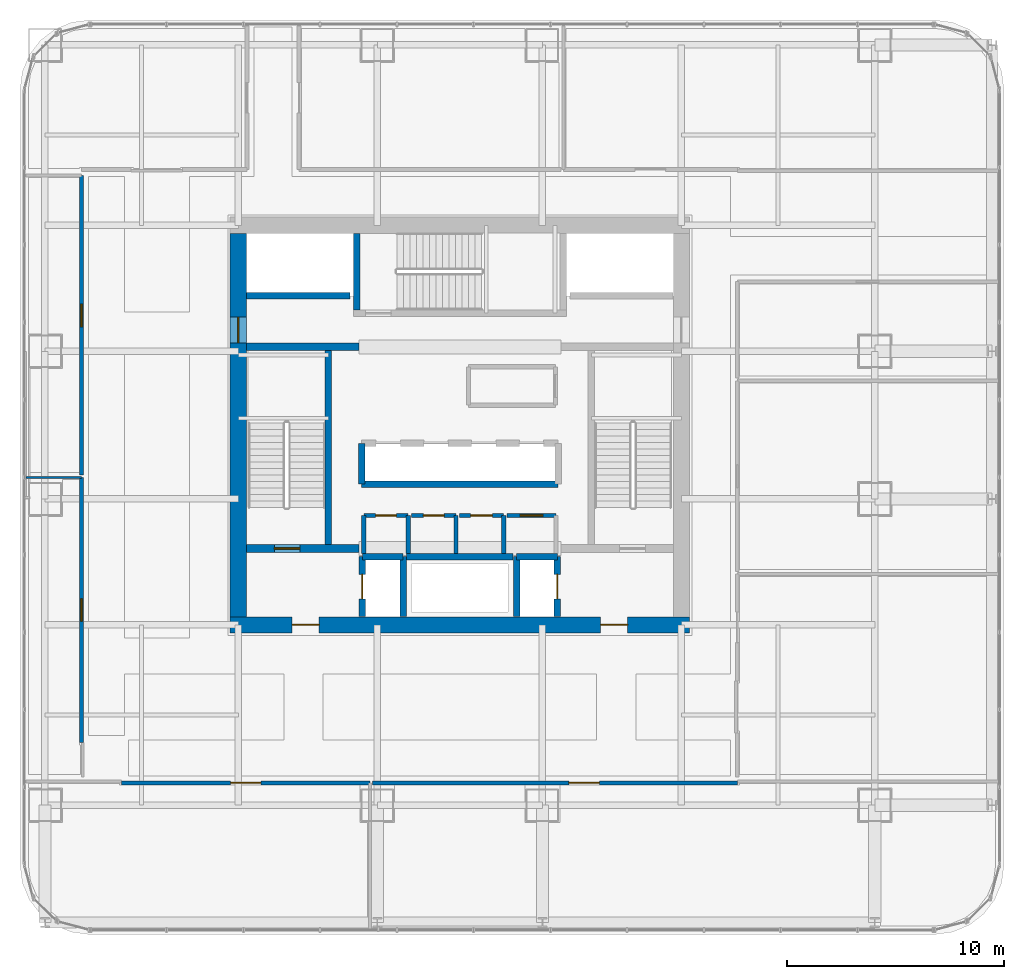
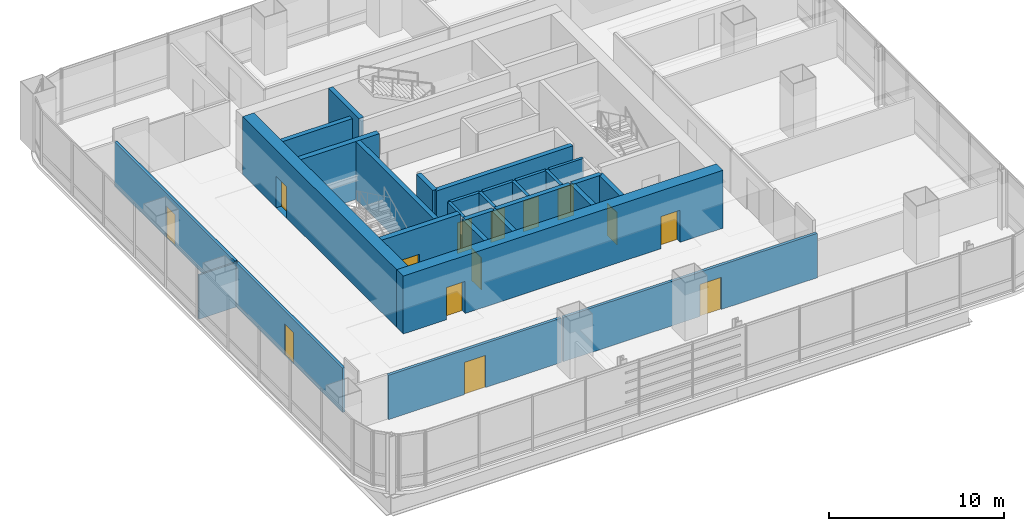
# One storey, part 27 of 35: 29 walls, 14 doors, 14 openings.
"""IFC4 building model written with IfcOpenShell, lengths in metres."""

from ifc_helpers import new_model, si_unit, direction, frame, frame_2d, origin, place, context, subcontext, project, spatial, rectangle, extrude, material, layer, layer_set, type_object, element, fill, save


model = new_model("IFC4")

# Units and contexts
model_context = context("Model", 3, precision=1e-05, world=origin(), true_north=direction((0.0, 1.0)))
body_context = subcontext(model_context, "Body", "Model", "MODEL_VIEW")
ifc_project = project(units=[si_unit("LENGTHUNIT", "METRE"), si_unit("AREAUNIT", "SQUARE_METRE"), si_unit("VOLUMEUNIT", "CUBIC_METRE"), si_unit("PLANEANGLEUNIT", "RADIAN"), si_unit("MASSUNIT", "GRAM", prefix="KILO")], contexts=[model_context])

# Site, building, storey
site_placement = place(None, origin())
site = spatial("IfcSite", under=ifc_project, at=site_placement, CompositionType="ELEMENT")
building_placement = place(site_placement, origin())
building = spatial("IfcBuilding", under=site, at=building_placement, Name="Punatoya Terracotta Tower", CompositionType="ELEMENT")
storey_placement = place(building_placement, frame((0.0, 0.0, 68.699951171875)))
storey = spatial("IfcBuildingStorey", under=building, at=storey_placement, Name="L15", CompositionType="ELEMENT", Elevation=68.699951171875)

# Wall, openings, doors
ifc_material_1 = material(Name="Concrete C60/75", Category="concrete")
ifc_layer_1 = layer(ifc_material_1, 0.75)
ifc_layer_set_1 = layer_set([ifc_layer_1], Name="Concrete C60/75")
wall_type_1 = type_object("IfcWallType", Name="WL-COR-750", PredefinedType="SHEAR", material=ifc_layer_set_1)
wall_1_placement = place(storey_placement, frame((10.574951171875, -9.199951171875, 0.0), z_axis=(0.0, 0.0, 1.0), x_axis=(-1.0, 0.0, 0.0)))
wall_1 = element("IfcWall", 1, at=wall_1_placement, inside=storey, type_object=wall_type_1, Name="L15 Core Shear Wall S", PredefinedType="SHEAR", context=body_context, shape_type="SweptSolid", body=[
    extrude(rectangle(XDim=21.14990234375, YDim=0.75, at=frame_2d((10.574951171875, 0.0))), origin(), (0.0, 0.0, 1.0), 4.050048828125),
])
opening_1_placement = place(wall_1_placement, frame((2.85009765625, 0.0, 0.0)))
opening_1 = element("IfcOpeningElement", 2, at=opening_1_placement, cuts=wall_1, Name="Opening FD-L1", PredefinedType="OPENING", context=body_context, shape_type="SweptSolid", body=[
    extrude(rectangle(XDim=1.25, YDim=2.25, at=frame_2d((0.625, 1.125))), frame((0.0, 0.385009765625, 0.0), z_axis=(0.0, -1.0, 0.0), x_axis=(1.0, 0.0, 0.0)), (0.0, 0.0, 1.0), 0.77001953125),
])
opening_2_placement = place(wall_1_placement, frame((17.050048828125, 0.0, 0.0)))
opening_2 = element("IfcOpeningElement", 3, at=opening_2_placement, cuts=wall_1, Name="Opening FD-L1", PredefinedType="OPENING", context=body_context, shape_type="SweptSolid", body=[
    extrude(rectangle(XDim=1.25, YDim=2.25, at=frame_2d((0.625, 1.125))), frame((0.0, 0.385009765625, 0.0), z_axis=(0.0, -1.0, 0.0), x_axis=(1.0, 0.0, 0.0)), (0.0, 0.0, 1.0), 0.77001953125),
])
ifc_material_2 = material(Name="Galvanised Steel Smokeproof Fire Door", Category="steel")
door_type_1 = type_object("IfcDoorType", Name="DR-FFL-1250", OperationType="NOTDEFINED", PredefinedType="DOOR", material=ifc_material_2)
door_1_placement = place(opening_1_placement, origin())
door_1 = element("IfcDoor", 4, at=door_1_placement, inside=storey, type_object=door_type_1, Name="L15 East Firefighting Lobby Corridor Fire Door", OperationType="SINGLE_SWING_LEFT", OverallHeight=2.25, OverallWidth=1.25, PredefinedType="DOOR", context=body_context, shape_type="SweptSolid", body=[
    extrude(rectangle(XDim=1.25, YDim=2.25, at=frame_2d((0.625, 1.125))), frame((0.0, 0.02490234375, 0.0), z_axis=(0.0, -1.0, 0.0), x_axis=(1.0, 0.0, 0.0)), (0.0, 0.0, 1.0), 0.050048828125),
])
fill(opening_1, door_1)
door_2_placement = place(opening_2_placement, origin())
door_2 = element("IfcDoor", 5, at=door_2_placement, inside=storey, type_object=door_type_1, Name="L15 West Firefighting Lobby Corridor Fire Door", OperationType="SINGLE_SWING_RIGHT", OverallHeight=2.25, OverallWidth=1.25, PredefinedType="DOOR", context=body_context, shape_type="SweptSolid", body=[
    extrude(rectangle(XDim=1.25, YDim=2.25, at=frame_2d((0.625, 1.125))), frame((0.0, 0.02490234375, 0.0), z_axis=(0.0, -1.0, 0.0), x_axis=(1.0, 0.0, 0.0)), (0.0, 0.0, 1.0), 0.050048828125),
])
fill(opening_2, door_2)

# Wall, opening, door
wall_2_placement = place(storey_placement, frame((-10.199951171875, -8.824951171875, 0.0), z_axis=(0.0, 0.0, 1.0), x_axis=(0.0, 1.0, 0.0)))
wall_2 = element("IfcWall", 6, at=wall_2_placement, inside=storey, type_object=wall_type_1, Name="L15 Core Shear Wall W", PredefinedType="SHEAR", context=body_context, shape_type="SweptSolid", body=[
    extrude(rectangle(XDim=17.64990234375, YDim=0.75, at=frame_2d((8.824951171875, 0.0))), origin(), (0.0, 0.0, 1.0), 4.050048828125),
])
opening_3_placement = place(wall_2_placement, frame((12.614990234375, 0.0, 0.0)))
opening_3 = element("IfcOpeningElement", 7, at=opening_3_placement, cuts=wall_2, Name="Opening SD-01", PredefinedType="OPENING", context=body_context, shape_type="SweptSolid", body=[
    extrude(rectangle(XDim=1.179931640625, YDim=2.199951171875, at=frame_2d((0.58984375, 1.10009765625))), frame((0.0, 0.385009765625, 0.0), z_axis=(0.0, -1.0, 0.0), x_axis=(1.0, 0.0, 0.0)), (0.0, 0.0, 1.0), 0.77001953125),
])
ifc_material_3 = material(Name="Galvanised Steel Pressurized Stair Fire Door", Category="steel")
door_type_2 = type_object("IfcDoorType", Name="DR-STR-1180", OperationType="NOTDEFINED", PredefinedType="DOOR", material=ifc_material_3)
door_3_placement = place(opening_3_placement, origin())
door_3 = element("IfcDoor", 8, at=door_3_placement, inside=storey, type_object=door_type_2, Name="L15 Central Lift Lobby West Fire Door", OperationType="SINGLE_SWING_LEFT", OverallHeight=2.199951171875, OverallWidth=1.179931640625, PredefinedType="DOOR", context=body_context, shape_type="SweptSolid", body=[
    extrude(rectangle(XDim=1.179931640625, YDim=2.199951171875, at=frame_2d((0.58984375, 1.10009765625))), frame((0.0, 0.02490234375, 0.0), z_axis=(0.0, -1.0, 0.0), x_axis=(1.0, 0.0, 0.0)), (0.0, 0.0, 1.0), 0.050048828125),
])
fill(opening_3, door_3)

ifc_material_4 = material(Name="Gypsum Fireboard + Steel Stud", Category="steel")
ifc_layer_2 = layer(ifc_material_4, 0.179931640625)
ifc_layer_set_2 = layer_set([ifc_layer_2], Name="Gypsum Fireboard + Steel Stud")
wall_type_2 = type_object("IfcWallType", Name="WL-CORR-180", PredefinedType="PARTITIONING", material=ifc_layer_set_2)
wall_3_placement = place(storey_placement, frame((4.419921875, -4.159912109375, 0.0), z_axis=(0.0, 0.0, 1.0), x_axis=(-1.0, 0.0, 0.0)))
wall_3 = element("IfcWall", 9, at=wall_3_placement, inside=storey, type_object=wall_type_2, Name="L15 Core Reprographics Studio Partition 09", PredefinedType="PARTITIONING", context=body_context, shape_type="SweptSolid", body=[
    extrude(rectangle(XDim=2.239990234375, YDim=0.179931640625, at=frame_2d((1.1201171875, 0.0))), origin(), (0.0, 0.0, 1.0), 3.81005859375),
])
opening_4_placement = place(wall_3_placement, frame((0.594970703125, 0.0, 0.0)))
opening_4 = element("IfcOpeningElement", 10, at=opening_4_placement, cuts=wall_3, Name="Opening OD-01", PredefinedType="OPENING", context=body_context, shape_type="SweptSolid", body=[
    extrude(rectangle(XDim=1.050048828125, YDim=2.199951171875, at=frame_2d((0.52490234375, 1.10009765625))), frame((0.0, 0.099853515625, 0.0), z_axis=(0.0, -1.0, 0.0), x_axis=(1.0, 0.0, 0.0)), (0.0, 0.0, 1.0), 0.199951171875),
])
ifc_material_5 = material(Name="Bengal Teak Solid-Core Leaf")
door_type_3 = type_object("IfcDoorType", Name="DR-OFF-1050", OperationType="NOTDEFINED", PredefinedType="DOOR", material=ifc_material_5)
door_4_placement = place(opening_4_placement, origin())
door_4 = element("IfcDoor", 11, at=door_4_placement, inside=storey, type_object=door_type_3, Name="L15 Reprographics Studio Door", OperationType="SINGLE_SWING_RIGHT", OverallHeight=2.199951171875, OverallWidth=1.050048828125, PredefinedType="DOOR", context=body_context, shape_type="SweptSolid", body=[
    extrude(rectangle(XDim=1.050048828125, YDim=2.199951171875, at=frame_2d((0.52490234375, 1.10009765625))), frame((0.0, 0.02490234375, 0.0), z_axis=(0.0, -1.0, 0.0), x_axis=(1.0, 0.0, 0.0)), (0.0, 0.0, 1.0), 0.050048828125),
])
fill(opening_4, door_4)

wall_4_placement = place(storey_placement, frame((-15.570068359375, -16.469970703125, 0.0), z_axis=(0.0, 0.0, 1.0), x_axis=(1.0, 0.0, 0.0)))
wall_4 = element("IfcWall", 12, at=wall_4_placement, inside=storey, type_object=wall_type_2, Name="L15 Open-Plan Plenary Seminar Room Partition 15", PredefinedType="PARTITIONING", context=body_context, shape_type="SweptSolid", body=[
    extrude(rectangle(XDim=11.427978515625, YDim=0.179931640625, at=frame_2d((5.7138671875, 0.0))), origin(), (0.0, 0.0, 1.0), 3.10400390625),
])
opening_5_placement = place(wall_4_placement, frame((5.013916015625, 0.0, 0.0)))
opening_5 = element("IfcOpeningElement", 13, at=opening_5_placement, cuts=wall_4, Name="Opening BD-01", PredefinedType="OPENING", context=body_context, shape_type="SweptSolid", body=[
    extrude(rectangle(XDim=1.39990234375, YDim=2.25, at=frame_2d((0.699951171875, 1.125))), frame((0.0, 0.099853515625, 0.0), z_axis=(0.0, -1.0, 0.0), x_axis=(1.0, 0.0, 0.0)), (0.0, 0.0, 1.0), 0.199951171875),
])
ifc_material_6 = material(Name="Bengal Teak Acoustic Leaf")
door_type_4 = type_object("IfcDoorType", Name="DR-BRD-1400", OperationType="NOTDEFINED", PredefinedType="DOOR", material=ifc_material_6)
door_5_placement = place(opening_5_placement, origin())
door_5 = element("IfcDoor", 14, at=door_5_placement, inside=storey, type_object=door_type_4, Name="L15 Open-Plan Plenary Seminar Room Door", OperationType="SINGLE_SWING_RIGHT", OverallHeight=2.25, OverallWidth=1.39990234375, PredefinedType="DOOR", context=body_context, shape_type="SweptSolid", body=[
    extrude(rectangle(XDim=1.39990234375, YDim=2.25, at=frame_2d((0.699951171875, 1.125))), frame((0.0, 0.02490234375, 0.0), z_axis=(0.0, -1.0, 0.0), x_axis=(1.0, 0.0, 0.0)), (0.0, 0.0, 1.0), 0.050048828125),
])
fill(opening_5, door_5)

wall_5_placement = place(storey_placement, frame((-4.02197265625, -16.469970703125, 0.0), z_axis=(0.0, 0.0, 1.0), x_axis=(1.0, 0.0, 0.0)))
wall_5 = element("IfcWall", 15, at=wall_5_placement, inside=storey, type_object=wall_type_2, Name="L15 Client Strategy Boardroom Partition 17", PredefinedType="PARTITIONING", context=body_context, shape_type="SweptSolid", body=[
    extrude(rectangle(XDim=16.7919921875, YDim=0.179931640625, at=frame_2d((8.39599609375, 0.0))), origin(), (0.0, 0.0, 1.0), 3.10400390625),
])
opening_6_placement = place(wall_5_placement, frame((9.0458984375, 0.0, 0.0)))
opening_6 = element("IfcOpeningElement", 16, at=opening_6_placement, cuts=wall_5, Name="Opening BD-01", PredefinedType="OPENING", context=body_context, shape_type="SweptSolid", body=[
    extrude(rectangle(XDim=1.39990234375, YDim=2.25, at=frame_2d((0.699951171875, 1.125))), frame((0.0, 0.099853515625, 0.0), z_axis=(0.0, -1.0, 0.0), x_axis=(1.0, 0.0, 0.0)), (0.0, 0.0, 1.0), 0.199951171875),
])
door_6_placement = place(opening_6_placement, origin())
door_6 = element("IfcDoor", 17, at=door_6_placement, inside=storey, type_object=door_type_4, Name="L15 Client Strategy Boardroom Door", OperationType="SINGLE_SWING_LEFT", OverallHeight=2.25, OverallWidth=1.39990234375, PredefinedType="DOOR", context=body_context, shape_type="SweptSolid", body=[
    extrude(rectangle(XDim=1.39990234375, YDim=2.25, at=frame_2d((0.699951171875, 1.125))), frame((0.0, 0.02490234375, 0.0), z_axis=(0.0, -1.0, 0.0), x_axis=(1.0, 0.0, 0.0)), (0.0, 0.0, 1.0), 0.050048828125),
])
fill(opening_6, door_6)

wall_6_placement = place(storey_placement, frame((-17.419921875, -2.409912109375, 0.0), z_axis=(0.0, 0.0, 1.0), x_axis=(0.0, -1.0, 0.0)))
wall_6 = element("IfcWall", 18, at=wall_6_placement, inside=storey, type_object=wall_type_2, Name="L15 Open-Plan Executive Briefing Room Partition 24", PredefinedType="PARTITIONING", context=body_context, shape_type="SweptSolid", body=[
    extrude(rectangle(XDim=12.210205078125, YDim=0.179931640625, at=frame_2d((6.10498046875, 0.0))), origin(), (0.0, 0.0, 1.0), 3.10400390625),
])
opening_7_placement = place(wall_6_placement, frame((5.594970703125, 0.0, 0.0)))
opening_7 = element("IfcOpeningElement", 19, at=opening_7_placement, cuts=wall_6, Name="Opening MD-01", PredefinedType="OPENING", context=body_context, shape_type="SweptSolid", body=[
    extrude(rectangle(XDim=1.02001953125, YDim=2.199951171875, at=frame_2d((0.510009765625, 1.10009765625))), frame((0.0, 0.099853515625, 0.0), z_axis=(0.0, -1.0, 0.0), x_axis=(1.0, 0.0, 0.0)), (0.0, 0.0, 1.0), 0.199951171875),
])
ifc_material_7 = material(Name="Aluminium + Acoustic Glass Leaf", Category="aluminium")
door_type_5 = type_object("IfcDoorType", Name="DR-MTG-1020", OperationType="NOTDEFINED", PredefinedType="DOOR", material=ifc_material_7)
door_7_placement = place(opening_7_placement, origin())
door_7 = element("IfcDoor", 20, at=door_7_placement, inside=storey, type_object=door_type_5, Name="L15 Open-Plan Executive Briefing Room Door", OperationType="SINGLE_SWING_LEFT", OverallHeight=2.199951171875, OverallWidth=1.02001953125, PredefinedType="DOOR", context=body_context, shape_type="SweptSolid", body=[
    extrude(rectangle(XDim=1.02001953125, YDim=2.199951171875, at=frame_2d((0.510009765625, 1.10009765625))), frame((0.0, 0.02490234375, 0.0), z_axis=(0.0, -1.0, 0.0), x_axis=(1.0, 0.0, 0.0)), (0.0, 0.0, 1.0), 0.050048828125),
])
fill(opening_7, door_7)

wall_7_placement = place(storey_placement, frame((-17.419921875, 11.489990234375, 0.0), z_axis=(0.0, 0.0, 1.0), x_axis=(0.0, -1.0, 0.0)))
wall_7 = element("IfcWall", 21, at=wall_7_placement, inside=storey, type_object=wall_type_2, Name="L15 Open-Plan Wellness Focus Room Partition 31", PredefinedType="PARTITIONING", context=body_context, shape_type="SweptSolid", body=[
    extrude(rectangle(XDim=13.780029296875, YDim=0.179931640625, at=frame_2d((6.89013671875, 0.0))), origin(), (0.0, 0.0, 1.0), 3.10400390625),
])
opening_8_placement = place(wall_7_placement, frame((5.9150390625, 0.0, 0.0)))
opening_8 = element("IfcOpeningElement", 22, at=opening_8_placement, cuts=wall_7, Name="Opening OD-01", PredefinedType="OPENING", context=body_context, shape_type="SweptSolid", body=[
    extrude(rectangle(XDim=1.050048828125, YDim=2.199951171875, at=frame_2d((0.52490234375, 1.10009765625))), frame((0.0, 0.099853515625, 0.0), z_axis=(0.0, -1.0, 0.0), x_axis=(1.0, 0.0, 0.0)), (0.0, 0.0, 1.0), 0.199951171875),
])
door_8_placement = place(opening_8_placement, origin())
door_8 = element("IfcDoor", 23, at=door_8_placement, inside=storey, type_object=door_type_3, Name="L15 Open-Plan Wellness Focus Room Door", OperationType="SINGLE_SWING_RIGHT", OverallHeight=2.199951171875, OverallWidth=1.050048828125, PredefinedType="DOOR", context=body_context, shape_type="SweptSolid", body=[
    extrude(rectangle(XDim=1.050048828125, YDim=2.199951171875, at=frame_2d((0.52490234375, 1.10009765625))), frame((0.0, 0.02490234375, 0.0), z_axis=(0.0, -1.0, 0.0), x_axis=(1.0, 0.0, 0.0)), (0.0, 0.0, 1.0), 0.050048828125),
])
fill(opening_8, door_8)

# Walls
ifc_material_8 = material(Name="Aluminium Framed Acoustic Glass Partition", Category="aluminium")
ifc_layer_3 = layer(ifc_material_8, 0.10009765625)
ifc_layer_set_3 = layer_set([ifc_layer_3], Name="Aluminium Framed Acoustic Glass Partition")
wall_type_3 = type_object("IfcWallType", Name="WL-GLZ-100", PredefinedType="PARTITIONING", material=ifc_layer_set_3)
wall_8_placement = place(storey_placement, frame((-19.969970703125, -2.409912109375, 0.0), z_axis=(0.0, 0.0, 1.0), x_axis=(1.0, 0.0, 0.0)))
element("IfcWall", 24, at=wall_8_placement, inside=storey, type_object=wall_type_3, Name="L15 Open-Plan Executive Briefing Room Partition 23", PredefinedType="PARTITIONING", context=body_context, shape_type="SweptSolid", body=[
    extrude(rectangle(XDim=2.550048828125, YDim=0.10009765625, at=frame_2d((1.27490234375, 0.0))), origin(), (0.0, 0.0, 1.0), 3.10400390625),
])
ifc_material_9 = material(Name="Concrete C40/50", Category="concrete")
ifc_layer_4 = layer(ifc_material_9, 0.199951171875)
ifc_layer_set_4 = layer_set([ifc_layer_4], Name="Concrete C40/50")
wall_type_4 = type_object("IfcWallType", Name="WL-INT-200", PredefinedType="SOLIDWALL", material=ifc_layer_set_4)
wall_9_placement = place(storey_placement, frame((-2.3798828125, -5.89990234375, 0.0), z_axis=(0.0, 0.0, 1.0), x_axis=(0.0, 1.0, 0.0)))
element("IfcWall", 25, at=wall_9_placement, inside=storey, type_object=wall_type_4, Name="L15 Male Washroom Partition 01", PredefinedType="SOLIDWALL", context=body_context, shape_type="SweptSolid", body=[
    extrude(rectangle(XDim=1.739990234375, YDim=0.199951171875, at=frame_2d((0.8701171875, 0.0))), origin(), (0.0, 0.0, 1.0), 3.81005859375),
])

# Wall, opening, door
wall_10_placement = place(storey_placement, frame((-2.3798828125, -4.159912109375, 0.0), z_axis=(0.0, 0.0, 1.0), x_axis=(-1.0, 0.0, 0.0)))
wall_10 = element("IfcWall", 26, at=wall_10_placement, inside=storey, type_object=wall_type_4, Name="L15 Male Washroom Partition 02", PredefinedType="SOLIDWALL", context=body_context, shape_type="SweptSolid", body=[
    extrude(rectangle(XDim=2.0400390625, YDim=0.199951171875, at=frame_2d((1.02001953125, 0.0))), origin(), (0.0, 0.0, 1.0), 3.81005859375),
])
opening_9_placement = place(wall_10_placement, frame((0.544921875, 0.0, 0.0)))
opening_9 = element("IfcOpeningElement", 27, at=opening_9_placement, cuts=wall_10, Name="Opening WD-01", PredefinedType="OPENING", context=body_context, shape_type="SweptSolid", body=[
    extrude(rectangle(XDim=0.949951171875, YDim=2.14990234375, at=frame_2d((0.47509765625, 1.074951171875))), frame((0.0, 0.10986328125, 0.0), z_axis=(0.0, -1.0, 0.0), x_axis=(1.0, 0.0, 0.0)), (0.0, 0.0, 1.0), 0.219970703125),
])
ifc_material_10 = material(Name="Moisture-Resistant Laminate Timber Leaf", Category="wood")
door_type_6 = type_object("IfcDoorType", Name="DR-WC-950", OperationType="NOTDEFINED", PredefinedType="DOOR", material=ifc_material_10)
door_9_placement = place(opening_9_placement, origin())
door_9 = element("IfcDoor", 28, at=door_9_placement, inside=storey, type_object=door_type_6, Name="L15 Male Washroom Door", OperationType="SINGLE_SWING_LEFT", OverallHeight=2.14990234375, OverallWidth=0.949951171875, PredefinedType="DOOR", context=body_context, shape_type="SweptSolid", body=[
    extrude(rectangle(XDim=0.949951171875, YDim=2.14990234375, at=frame_2d((0.47509765625, 1.074951171875))), frame((0.0, 0.02490234375, 0.0), z_axis=(0.0, -1.0, 0.0), x_axis=(1.0, 0.0, 0.0)), (0.0, 0.0, 1.0), 0.050048828125),
])
fill(opening_9, door_9)

# Walls
for number, where, z_axis, x_axis, name in (
    (29, (-4.419921875, -4.159912109375, 0.0), (0.0, 0.0, 1.0), (0.0, -1.0, 0.0), "L15 Male Washroom Partition 03"),
    (30, (-0.179931640625, -5.89990234375, 0.0), (0.0, 0.0, 1.0), (0.0, 1.0, 0.0), "L15 Female Washroom Partition 04"),
):
    element("IfcWall", number, at=place(storey_placement, frame(where, z_axis=z_axis, x_axis=x_axis)), inside=storey, type_object=wall_type_4, Name=name, PredefinedType="SOLIDWALL", context=body_context, shape_type="SweptSolid", body=[
        extrude(rectangle(XDim=1.739990234375, YDim=0.199951171875, at=frame_2d((0.8701171875, 0.0))), origin(), (0.0, 0.0, 1.0), 3.81005859375),
    ])

# Wall, opening, door
wall_11_placement = place(storey_placement, frame((-0.179931640625, -4.159912109375, 0.0), z_axis=(0.0, 0.0, 1.0), x_axis=(-1.0, 0.0, 0.0)))
wall_11 = element("IfcWall", 31, at=wall_11_placement, inside=storey, type_object=wall_type_4, Name="L15 Female Washroom Partition 05", PredefinedType="SOLIDWALL", context=body_context, shape_type="SweptSolid", body=[
    extrude(rectangle(XDim=2.0400390625, YDim=0.199951171875, at=frame_2d((1.02001953125, 0.0))), origin(), (0.0, 0.0, 1.0), 3.81005859375),
])
opening_10_placement = place(wall_11_placement, frame((0.544921875, 0.0, 0.0)))
opening_10 = element("IfcOpeningElement", 32, at=opening_10_placement, cuts=wall_11, Name="Opening WD-01", PredefinedType="OPENING", context=body_context, shape_type="SweptSolid", body=[
    extrude(rectangle(XDim=0.949951171875, YDim=2.14990234375, at=frame_2d((0.47509765625, 1.074951171875))), frame((0.0, 0.10986328125, 0.0), z_axis=(0.0, -1.0, 0.0), x_axis=(1.0, 0.0, 0.0)), (0.0, 0.0, 1.0), 0.219970703125),
])
door_10_placement = place(opening_10_placement, origin())
door_10 = element("IfcDoor", 33, at=door_10_placement, inside=storey, type_object=door_type_6, Name="L15 Female Washroom Door", OperationType="SINGLE_SWING_RIGHT", OverallHeight=2.14990234375, OverallWidth=0.949951171875, PredefinedType="DOOR", context=body_context, shape_type="SweptSolid", body=[
    extrude(rectangle(XDim=0.949951171875, YDim=2.14990234375, at=frame_2d((0.47509765625, 1.074951171875))), frame((0.0, 0.02490234375, 0.0), z_axis=(0.0, -1.0, 0.0), x_axis=(1.0, 0.0, 0.0)), (0.0, 0.0, 1.0), 0.050048828125),
])
fill(opening_10, door_10)

# Wall
wall_12_placement = place(storey_placement, frame((2.02001953125, -5.89990234375, 0.0), z_axis=(0.0, 0.0, 1.0), x_axis=(0.0, 1.0, 0.0)))
element("IfcWall", 34, at=wall_12_placement, inside=storey, type_object=wall_type_4, Name="L15 Accessible Universal Washroom Partition 06", PredefinedType="SOLIDWALL", context=body_context, shape_type="SweptSolid", body=[
    extrude(rectangle(XDim=1.739990234375, YDim=0.199951171875, at=frame_2d((0.8701171875, 0.0))), origin(), (0.0, 0.0, 1.0), 3.81005859375),
])

# Wall, opening, door
wall_13_placement = place(storey_placement, frame((2.02001953125, -4.159912109375, 0.0), z_axis=(0.0, 0.0, 1.0), x_axis=(-1.0, 0.0, 0.0)))
wall_13 = element("IfcWall", 35, at=wall_13_placement, inside=storey, type_object=wall_type_4, Name="L15 Accessible Universal Washroom Partition 07", PredefinedType="SOLIDWALL", context=body_context, shape_type="SweptSolid", body=[
    extrude(rectangle(XDim=2.0400390625, YDim=0.199951171875, at=frame_2d((1.02001953125, 0.0))), origin(), (0.0, 0.0, 1.0), 3.81005859375),
])
opening_11_placement = place(wall_13_placement, frame((0.52001953125, 0.0, 0.0)))
opening_11 = element("IfcOpeningElement", 36, at=opening_11_placement, cuts=wall_13, Name="Opening AWD-1", PredefinedType="OPENING", context=body_context, shape_type="SweptSolid", body=[
    extrude(rectangle(XDim=1.0, YDim=2.14990234375, at=frame_2d((0.5, 1.074951171875))), frame((0.0, 0.10986328125, 0.0), z_axis=(0.0, -1.0, 0.0), x_axis=(1.0, 0.0, 0.0)), (0.0, 0.0, 1.0), 0.219970703125),
])
ifc_material_11 = material(Name="Bengal Teak Accessible WC Leaf")
door_type_7 = type_object("IfcDoorType", Name="DR-ACC-1000", OperationType="NOTDEFINED", PredefinedType="DOOR", material=ifc_material_11)
door_11_placement = place(opening_11_placement, origin())
door_11 = element("IfcDoor", 37, at=door_11_placement, inside=storey, type_object=door_type_7, Name="L15 Accessible Universal Washroom Door", OperationType="SINGLE_SWING_LEFT", OverallHeight=2.14990234375, OverallWidth=1.0, PredefinedType="DOOR", context=body_context, shape_type="SweptSolid", body=[
    extrude(rectangle(XDim=1.0, YDim=2.14990234375, at=frame_2d((0.5, 1.074951171875))), frame((0.0, 0.02490234375, 0.0), z_axis=(0.0, -1.0, 0.0), x_axis=(1.0, 0.0, 0.0)), (0.0, 0.0, 1.0), 0.050048828125),
])
fill(opening_11, door_11)

# Walls
ifc_layer_5 = layer(ifc_material_9, 0.300048828125)
ifc_layer_set_5 = layer_set([ifc_layer_5], Name="Concrete C40/50")
wall_type_5 = type_object("IfcWallType", Name="WL-SHF-300", PredefinedType="SOLIDWALL", material=ifc_layer_set_5)
wall_14_placement = place(storey_placement, frame((-6.050048828125, -5.5, 0.0), z_axis=(0.0, 0.0, 1.0), x_axis=(0.0, 1.0, 0.0)))
element("IfcWall", 38, at=wall_14_placement, inside=storey, type_object=wall_type_5, Name="L15 Structural Stair Shaft Wall SW-ST1-E", PredefinedType="SOLIDWALL", context=body_context, shape_type="SweptSolid", body=[
    extrude(rectangle(XDim=8.949951171875, YDim=0.300048828125, at=frame_2d((4.47509765625, 0.0))), origin(), (0.0, 0.0, 1.0), 4.050048828125),
])
wall_15_placement = place(storey_placement, frame((-4.75, 5.300048828125, 0.0), z_axis=(0.0, 0.0, 1.0), x_axis=(0.0, 1.0, 0.0)))
element("IfcWall", 39, at=wall_15_placement, inside=storey, type_object=wall_type_5, Name="L15 Structural Stair Shaft Wall SW-ST3-W", PredefinedType="SOLIDWALL", context=body_context, shape_type="SweptSolid", body=[
    extrude(rectangle(XDim=3.52490234375, YDim=0.300048828125, at=frame_2d((1.762451171875, 0.0))), origin(), (0.0, 0.0, 1.0), 4.050048828125),
])

# Wall, opening, door
wall_16_placement = place(storey_placement, frame((-4.489990234375, -8.820068359375, 0.0), z_axis=(0.0, 0.0, 1.0), x_axis=(0.0, 1.0, 0.0)))
wall_16 = element("IfcWall", 40, at=wall_16_placement, inside=storey, type_object=wall_type_5, Name="L15 FFL-1 Front Hoistway Wall", PredefinedType="SOLIDWALL", context=body_context, shape_type="SweptSolid", body=[
    extrude(rectangle(XDim=2.77001953125, YDim=0.300048828125, at=frame_2d((1.385009765625, 0.0))), origin(), (0.0, 0.0, 1.0), 3.81005859375),
])
opening_12_placement = place(wall_16_placement, frame((0.824951171875, 0.0, 0.0)))
opening_12 = element("IfcOpeningElement", 41, at=opening_12_placement, cuts=wall_16, Name="Opening LD-02", PredefinedType="OPENING", context=body_context, shape_type="SweptSolid", body=[
    extrude(rectangle(XDim=1.1201171875, YDim=2.25, at=frame_2d((0.56005859375, 1.125))), frame((0.0, 0.159912109375, 0.0), z_axis=(0.0, -1.0, 0.0), x_axis=(1.0, 0.0, 0.0)), (0.0, 0.0, 1.0), 0.320068359375),
])
ifc_material_12 = material(Name="Stainless Steel Lift Landing Door", Category="steel")
door_type_8 = type_object("IfcDoorType", Name="DR-LND-1120", OperationType="NOTDEFINED", PredefinedType="DOOR", material=ifc_material_12)
door_12_placement = place(opening_12_placement, origin())
door_12 = element("IfcDoor", 42, at=door_12_placement, inside=storey, type_object=door_type_8, Name="L15 Firefighting Lift FFL-1 Sliding Landing Door", OperationType="SLIDING_TO_LEFT", OverallHeight=2.25, OverallWidth=1.1201171875, PredefinedType="DOOR", context=body_context, shape_type="SweptSolid", body=[
    extrude(rectangle(XDim=1.1201171875, YDim=2.25, at=frame_2d((0.56005859375, 1.125))), frame((0.0, 0.02490234375, 0.0), z_axis=(0.0, -1.0, 0.0), x_axis=(1.0, 0.0, 0.0)), (0.0, 0.0, 1.0), 0.050048828125),
])
fill(opening_12, door_12)

# Walls
wall_17_placement = place(storey_placement, frame((-2.610107421875, -8.820068359375, 0.0), z_axis=(0.0, 0.0, 1.0), x_axis=(0.0, 1.0, 0.0)))
element("IfcWall", 43, at=wall_17_placement, inside=storey, type_object=wall_type_5, Name="L15 FFL-1 Rear Hoistway Wall", PredefinedType="SOLIDWALL", context=body_context, shape_type="SweptSolid", body=[
    extrude(rectangle(XDim=2.77001953125, YDim=0.300048828125, at=frame_2d((1.385009765625, 0.0))), origin(), (0.0, 0.0, 1.0), 3.81005859375),
])
wall_18_placement = place(storey_placement, frame((-4.489990234375, -6.050048828125, 0.0), z_axis=(0.0, 0.0, 1.0), x_axis=(1.0, 0.0, 0.0)))
element("IfcWall", 44, at=wall_18_placement, inside=storey, type_object=wall_type_5, Name="L15 FFL-1 North Hoistway Wall", PredefinedType="SOLIDWALL", context=body_context, shape_type="SweptSolid", body=[
    extrude(rectangle(XDim=1.8798828125, YDim=0.300048828125, at=frame_2d((0.93994140625, 0.0))), origin(), (0.0, 0.0, 1.0), 3.81005859375),
])

# Wall, opening, door
wall_19_placement = place(storey_placement, frame((4.489990234375, -8.820068359375, 0.0), z_axis=(0.0, 0.0, 1.0), x_axis=(0.0, 1.0, 0.0)))
wall_19 = element("IfcWall", 45, at=wall_19_placement, inside=storey, type_object=wall_type_5, Name="L15 FFL-2 Front Hoistway Wall", PredefinedType="SOLIDWALL", context=body_context, shape_type="SweptSolid", body=[
    extrude(rectangle(XDim=2.77001953125, YDim=0.300048828125, at=frame_2d((1.385009765625, 0.0))), origin(), (0.0, 0.0, 1.0), 3.81005859375),
])
opening_13_placement = place(wall_19_placement, frame((0.824951171875, 0.0, 0.0)))
opening_13 = element("IfcOpeningElement", 46, at=opening_13_placement, cuts=wall_19, Name="Opening LD-02", PredefinedType="OPENING", context=body_context, shape_type="SweptSolid", body=[
    extrude(rectangle(XDim=1.1201171875, YDim=2.25, at=frame_2d((0.56005859375, 1.125))), frame((0.0, 0.159912109375, 0.0), z_axis=(0.0, -1.0, 0.0), x_axis=(1.0, 0.0, 0.0)), (0.0, 0.0, 1.0), 0.320068359375),
])
door_13_placement = place(opening_13_placement, origin())
door_13 = element("IfcDoor", 47, at=door_13_placement, inside=storey, type_object=door_type_8, Name="L15 Firefighting Lift FFL-2 Sliding Landing Door", OperationType="SLIDING_TO_RIGHT", OverallHeight=2.25, OverallWidth=1.1201171875, PredefinedType="DOOR", context=body_context, shape_type="SweptSolid", body=[
    extrude(rectangle(XDim=1.1201171875, YDim=2.25, at=frame_2d((0.56005859375, 1.125))), frame((0.0, 0.02490234375, 0.0), z_axis=(0.0, -1.0, 0.0), x_axis=(1.0, 0.0, 0.0)), (0.0, 0.0, 1.0), 0.050048828125),
])
fill(opening_13, door_13)

# Walls
wall_20_placement = place(storey_placement, frame((2.610107421875, -8.820068359375, 0.0), z_axis=(0.0, 0.0, 1.0), x_axis=(0.0, 1.0, 0.0)))
element("IfcWall", 48, at=wall_20_placement, inside=storey, type_object=wall_type_5, Name="L15 FFL-2 Rear Hoistway Wall", PredefinedType="SOLIDWALL", context=body_context, shape_type="SweptSolid", body=[
    extrude(rectangle(XDim=2.77001953125, YDim=0.300048828125, at=frame_2d((1.385009765625, 0.0))), origin(), (0.0, 0.0, 1.0), 3.81005859375),
])
wall_21_placement = place(storey_placement, frame((2.610107421875, -6.050048828125, 0.0), z_axis=(0.0, 0.0, 1.0), x_axis=(1.0, 0.0, 0.0)))
element("IfcWall", 49, at=wall_21_placement, inside=storey, type_object=wall_type_5, Name="L15 FFL-2 North Hoistway Wall", PredefinedType="SOLIDWALL", context=body_context, shape_type="SweptSolid", body=[
    extrude(rectangle(XDim=1.8798828125, YDim=0.300048828125, at=frame_2d((0.93994140625, 0.0))), origin(), (0.0, 0.0, 1.0), 3.81005859375),
])
wall_22_placement = place(storey_placement, frame((-4.52001953125, -2.719970703125, 0.0), z_axis=(0.0, 0.0, 1.0), x_axis=(1.0, 0.0, 0.0)))
element("IfcWall", 50, at=wall_22_placement, inside=storey, type_object=wall_type_5, Name="L15 South Lift Bank Rear Shaft Wall", PredefinedType="SOLIDWALL", context=body_context, shape_type="SweptSolid", body=[
    extrude(rectangle(XDim=9.0400390625, YDim=0.300048828125, at=frame_2d((4.52001953125, 0.0))), origin(), (0.0, 0.0, 1.0), 3.81005859375),
])
wall_23_placement = place(storey_placement, frame((-4.52001953125, -2.719970703125, 0.0), z_axis=(0.0, 0.0, 1.0), x_axis=(0.0, 1.0, 0.0)))
element("IfcWall", 51, at=wall_23_placement, inside=storey, type_object=wall_type_5, Name="L15 South Lift Bank West End Wall", PredefinedType="SOLIDWALL", context=body_context, shape_type="SweptSolid", body=[
    extrude(rectangle(XDim=1.8798828125, YDim=0.300048828125, at=frame_2d((0.93994140625, 0.0))), origin(), (0.0, 0.0, 1.0), 3.81005859375),
])
wall_24_placement = place(storey_placement, frame((-9.820068359375, 5.949951171875, 0.0), z_axis=(0.0, 0.0, 1.0), x_axis=(1.0, 0.0, 0.0)))
element("IfcWall", 52, at=wall_24_placement, inside=storey, type_object=wall_type_5, Name="L15 Shuttle SL-1 South Hoistway Wall", PredefinedType="SOLIDWALL", context=body_context, shape_type="SweptSolid", body=[
    extrude(rectangle(XDim=4.760009765625, YDim=0.300048828125, at=frame_2d((2.3798828125, 0.0))), origin(), (0.0, 0.0, 1.0), 3.81005859375),
])
wall_25_placement = place(storey_placement, frame((-2.449951171875, -6.050048828125, 0.0), z_axis=(0.0, 0.0, 1.0), x_axis=(1.0, 0.0, 0.0)))
element("IfcWall", 53, at=wall_25_placement, inside=storey, type_object=wall_type_5, Name="L15 Observation Shuttle Rear Hoistway Wall", PredefinedType="SOLIDWALL", context=body_context, shape_type="SweptSolid", body=[
    extrude(rectangle(XDim=4.89990234375, YDim=0.300048828125, at=frame_2d((2.449951171875, 0.0))), origin(), (0.0, 0.0, 1.0), 3.81005859375),
])

# Wall, opening, door
ifc_material_13 = material(Name="Concrete C50/60", Category="concrete")
ifc_layer_6 = layer(ifc_material_13, 0.35009765625)
ifc_layer_set_6 = layer_set([ifc_layer_6], Name="Concrete C50/60")
wall_type_6 = type_object("IfcWallType", Name="WL-SHF-350", PredefinedType="SOLIDWALL", material=ifc_layer_set_6)
wall_26_placement = place(storey_placement, frame((-9.824951171875, -5.679931640625, 0.0), z_axis=(0.0, 0.0, 1.0), x_axis=(1.0, 0.0, 0.0)))
wall_26 = element("IfcWall", 54, at=wall_26_placement, inside=storey, type_object=wall_type_6, Name="L15 Core Web Wall CSW-L", PredefinedType="SOLIDWALL", context=body_context, shape_type="SweptSolid", body=[
    extrude(rectangle(XDim=5.175048828125, YDim=0.35009765625, at=frame_2d((2.58740234375, 0.0))), origin(), (0.0, 0.0, 1.0), 4.050048828125),
])
opening_14_placement = place(wall_26_placement, frame((1.284912109375, 0.0, 0.0)))
opening_14 = element("IfcOpeningElement", 55, at=opening_14_placement, cuts=wall_26, Name="Opening SD-01", PredefinedType="OPENING", context=body_context, shape_type="SweptSolid", body=[
    extrude(rectangle(XDim=1.179931640625, YDim=2.199951171875, at=frame_2d((0.58984375, 1.10009765625))), frame((0.0, 0.18505859375, 0.0), z_axis=(0.0, -1.0, 0.0), x_axis=(1.0, 0.0, 0.0)), (0.0, 0.0, 1.0), 0.3701171875),
])
door_14_placement = place(opening_14_placement, origin())
door_14 = element("IfcDoor", 56, at=door_14_placement, inside=storey, type_object=door_type_2, Name="L15 Stair ST-1 Smokeproof Lobby Fire Door", OperationType="SINGLE_SWING_LEFT", OverallHeight=2.199951171875, OverallWidth=1.179931640625, PredefinedType="DOOR", context=body_context, shape_type="SweptSolid", body=[
    extrude(rectangle(XDim=1.179931640625, YDim=2.199951171875, at=frame_2d((0.58984375, 1.10009765625))), frame((0.0, 0.02490234375, 0.0), z_axis=(0.0, -1.0, 0.0), x_axis=(1.0, 0.0, 0.0)), (0.0, 0.0, 1.0), 0.050048828125),
])
fill(opening_14, door_14)

# Wall
wall_27_placement = place(storey_placement, frame((-9.824951171875, 3.60009765625, 0.0), z_axis=(0.0, 0.0, 1.0), x_axis=(1.0, 0.0, 0.0)))
element("IfcWall", 57, at=wall_27_placement, inside=storey, type_object=wall_type_6, Name="L15 Core Web Wall CNW-L", PredefinedType="SOLIDWALL", context=body_context, shape_type="SweptSolid", body=[
    extrude(rectangle(XDim=5.175048828125, YDim=0.35009765625, at=frame_2d((2.58740234375, 0.0))), origin(), (0.0, 0.0, 1.0), 4.050048828125),
])

save(model, "model.ifc")
